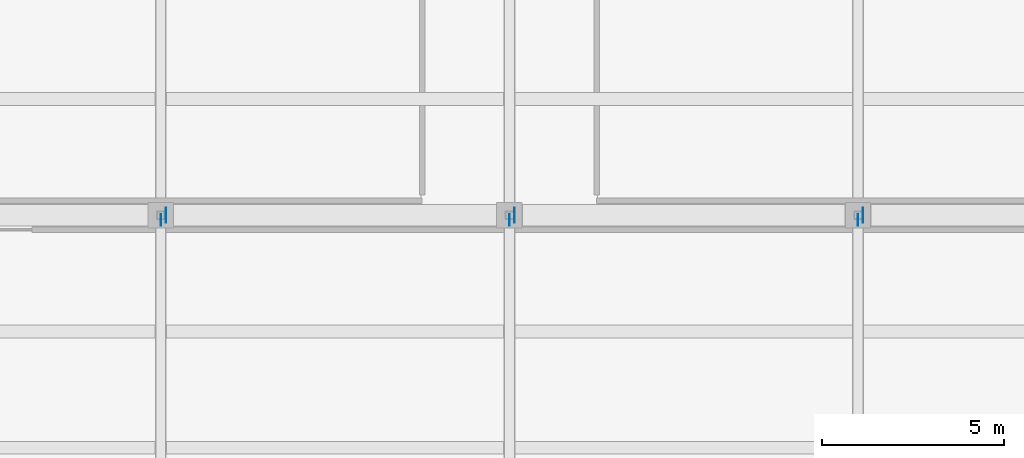
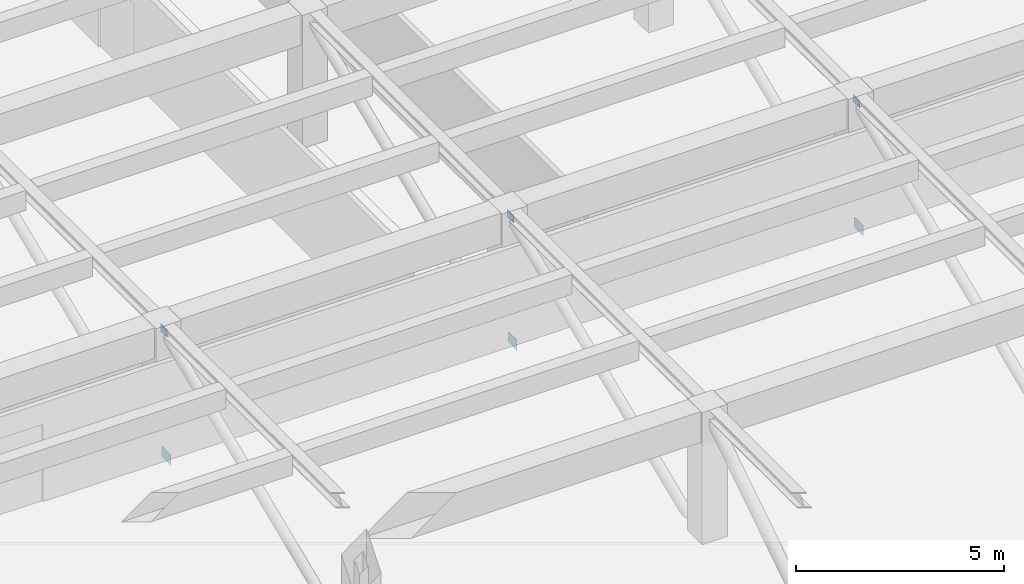
# One storey, part 38 of 62: 6 plates.
"""IFC4 building model written with IfcOpenShell, lengths in metres."""

from ifc_helpers import new_model, si_unit, direction, frame, origin, origin_2d, place, context, subcontext, project, spatial, rectangle, extrude, material, layer, layer_set, type_object, element, save


model = new_model("IFC4")

# Units and contexts
model_context = context("Model", 3, precision=1e-05, world=origin(), true_north=direction((0.0, 1.0)))
body_context = subcontext(model_context, "Body", "Model", "MODEL_VIEW")
ifc_project = project(units=[si_unit("LENGTHUNIT", "METRE"), si_unit("AREAUNIT", "SQUARE_METRE"), si_unit("VOLUMEUNIT", "CUBIC_METRE"), si_unit("PLANEANGLEUNIT", "RADIAN"), si_unit("MASSUNIT", "GRAM", prefix="KILO")], contexts=[model_context])

# Site, building, storey
site_placement = place(None, origin())
site = spatial("IfcSite", under=ifc_project, at=site_placement, CompositionType="ELEMENT")
building_placement = place(site_placement, origin())
building = spatial("IfcBuilding", under=site, at=building_placement, Name="Bempovik Park Faculty of Sciences", CompositionType="ELEMENT")
storey_placement = place(building_placement, frame((0.0, 0.0, 9.89990234375)))
storey = spatial("IfcBuildingStorey", under=building, at=storey_placement, Name="L02", CompositionType="ELEMENT", Elevation=9.89990234375)

# Plates
ifc_material = material(Name="Steel S355", Category="steel")
ifc_layer_1 = layer(ifc_material, 0.01806640625)
ifc_layer_set_1 = layer_set([ifc_layer_1], Name="Steel S355")
plate_type_1 = type_object("IfcPlateType", Name="PL-22 Steel Plate 420x300x18", PredefinedType="SHEET", material=ifc_layer_set_1)
for number, where, z_axis, x_axis, name in (
    (1, (79.340087890625, 29.39990234375, -0.35009765625), (0.0, 0.0, 1.0), (1.0, 0.0, 0.0), "Cantilever Gusset Plate CT3-4-B"),
    (2, (88.93994140625, 29.39990234375, -0.35009765625), (0.0, 0.0, 1.0), (1.0, 0.0, 0.0), "Cantilever Gusset Plate CT4-4-B"),
    (3, (98.5400390625, 29.39990234375, -0.35009765625), (0.0, 0.0, 1.0), (1.0, 0.0, 0.0), "Cantilever Gusset Plate CT5-4-B"),
):
    element("IfcPlate", number, at=place(storey_placement, frame(where, z_axis=z_axis, x_axis=x_axis)), inside=storey, type_object=plate_type_1, Name=name, PredefinedType="SHEET", context=body_context, shape_type="SweptSolid", body=[
        extrude(rectangle(XDim=0.01806640625, YDim=0.419921875, at=origin_2d()), origin(), (0.0, 0.0, 1.0), 0.300048828125),
    ])
ifc_layer_2 = layer(ifc_material, 0.011962890625)
ifc_layer_set_2 = layer_set([ifc_layer_2], Name="Steel S355")
plate_type_2 = type_object("IfcPlateType", Name="PL-26 Steel Plate 320x220x12", PredefinedType="SHEET", material=ifc_layer_set_2)
for number, where, z_axis, x_axis, name in (
    (4, (79.199951171875, 29.264892578125, 3.48388671875), (0.0, 0.0, 1.0), (1.0, 0.0, 0.0), "Brace/Strut End Gusset Plate CT3-BRL2-3-E2"),
    (5, (88.800048828125, 29.264892578125, 3.48388671875), (0.0, 0.0, 1.0), (1.0, 0.0, 0.0), "Brace/Strut End Gusset Plate CT4-BRL2-3-E2"),
    (6, (98.39990234375, 29.264892578125, 3.48388671875), (0.0, 0.0, 1.0), (1.0, 0.0, 0.0), "Brace/Strut End Gusset Plate CT5-BRL2-3-E2"),
):
    element("IfcPlate", number, at=place(storey_placement, frame(where, z_axis=z_axis, x_axis=x_axis)), inside=storey, type_object=plate_type_2, Name=name, PredefinedType="SHEET", context=body_context, shape_type="SweptSolid", body=[
        extrude(rectangle(XDim=0.011962890625, YDim=0.320068359375, at=origin_2d()), origin(), (0.0, 0.0, 1.0), 0.219970703125),
    ])

save(model, "model.ifc")
